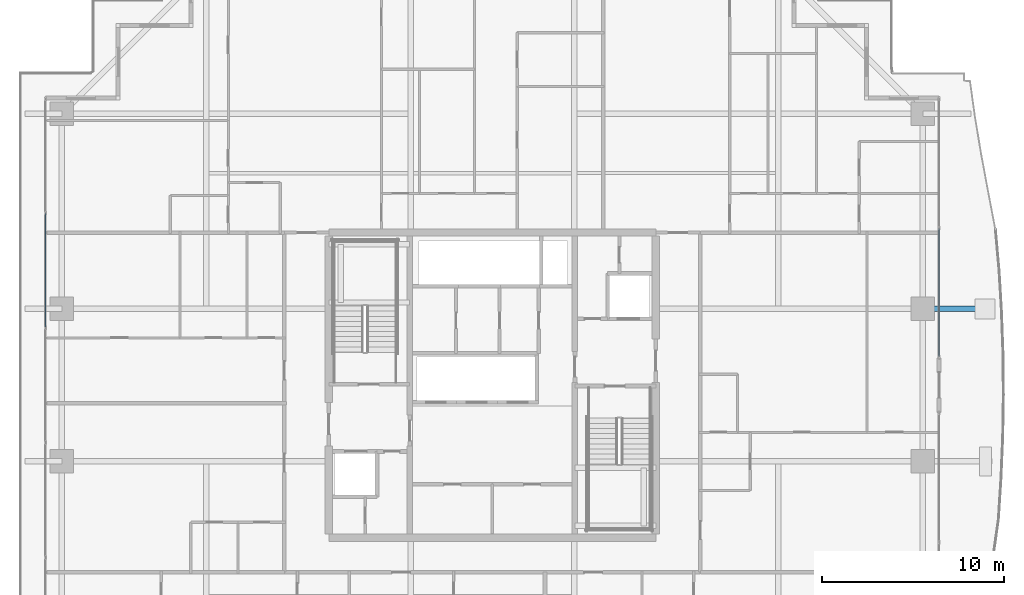
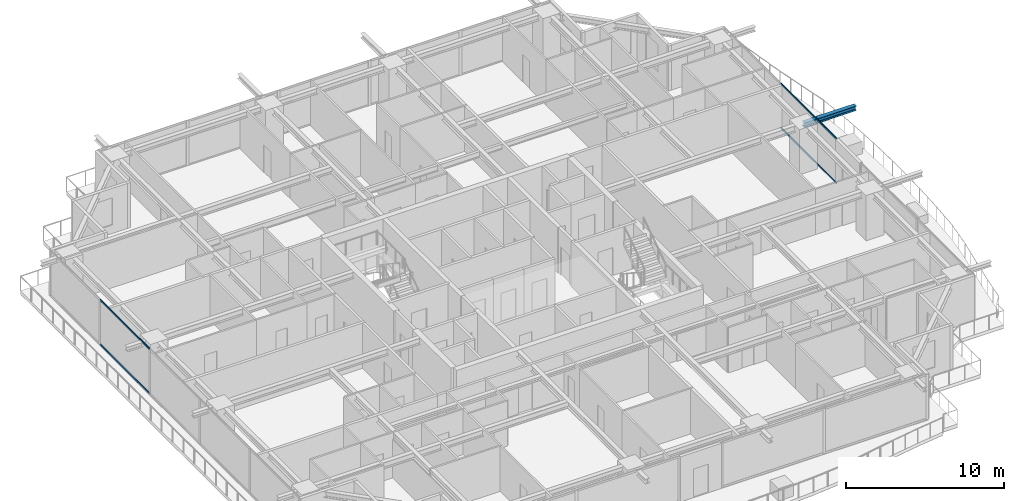
# One storey, part 16 of 38: 4 members, 1 beam, 2 elements without a shape of their own.
"""IFC4 building model written with IfcOpenShell, lengths in metres."""

from ifc_helpers import new_model, si_unit, direction, frame, origin, origin_2d, place, context, subcontext, project, spatial, hollow_rectangle, i_section, extrude, source, transform, mapped, material, layer, layer_set, material_profile, profile_set, type_object, element, aggregate, save


model = new_model("IFC4")

# Units and contexts
model_context = context("Model", 3, precision=1e-05, world=origin(), true_north=direction((0.0, 1.0)))
body_context = subcontext(model_context, "Body", "Model", "MODEL_VIEW")
ifc_project = project(units=[si_unit("LENGTHUNIT", "METRE"), si_unit("AREAUNIT", "SQUARE_METRE"), si_unit("VOLUMEUNIT", "CUBIC_METRE"), si_unit("PLANEANGLEUNIT", "RADIAN"), si_unit("MASSUNIT", "GRAM", prefix="KILO")], contexts=[model_context])

# Site, building, storey
site_placement = place(None, origin())
site = spatial("IfcSite", under=ifc_project, at=site_placement, CompositionType="ELEMENT")
building_placement = place(site_placement, origin())
building = spatial("IfcBuilding", under=site, at=building_placement, Name="Serunith Strait Residences", CompositionType="ELEMENT")
storey_placement = place(building_placement, frame((0.0, 0.0, 176.39990234375)))
storey = spatial("IfcBuildingStorey", under=building, at=storey_placement, Name="L44", CompositionType="ELEMENT", Elevation=176.39990234375)

# Beam
ifc_material_1 = material(Name="Steel S355J2", Category="steel")
ifc_material_profile_1 = material_profile(ifc_material_1, i_section(OverallWidth=0.300048828125, OverallDepth=0.360107421875, WebThickness=0.012451171875, FlangeThickness=0.0224609375, FilletRadius=0.027099609375, at=origin_2d()), Name="HEB 360")
ifc_profile_set_1 = profile_set([ifc_material_profile_1], Name="Steel S355J2")
beam_type = type_object("IfcBeamType", Name="BM-HEB360", PredefinedType="BEAM", material=ifc_profile_set_1)
shared_shape_1 = source(origin(), body_context, "Body", "SweptSolid", [
    extrude(i_section(OverallWidth=0.300048828125, OverallDepth=0.360107421875, WebThickness=0.012451171875, FlangeThickness=0.0224609375, FilletRadius=0.027099609375, at=origin_2d()), origin(), (0.0, 0.0, 1.0), 3.7998046875),
])
beam_placement = place(storey_placement, frame((56.10009765625, 29.39990234375, 3.277099609375), z_axis=(1.0, 0.0, 0.0), x_axis=(0.0, 1.0, 0.0)))
element("IfcBeam", 1, at=beam_placement, inside=storey, type_object=beam_type, Name="L45 Cantilevered Balcony Rib TC-E3", PredefinedType="BEAM", context=body_context, shape_type="MappedRepresentation", body=[
    mapped(shared_shape_1, transform((0.0, 0.0, 0.0), scale=1.0)),
])

# Curtain wall, members
ifc_material_2 = material(Name="Pale-Champagne Anodised Aluminium", Category="aluminium")
ifc_layer = layer(ifc_material_2, 0.199951171875, Name="Pale-Champagne Anodised Aluminium")
ifc_layer_set = layer_set([ifc_layer], Name="Pale-Champagne Anodised Aluminium")
curtain_wall_type = type_object("IfcCurtainWallType", Name="CW-SYS2", PredefinedType="NOTDEFINED", material=ifc_layer_set)
curtain_wall_1_placement = place(storey_placement, origin())
curtain_wall_1 = element("IfcCurtainWall", 2, at=curtain_wall_1_placement, inside=storey, type_object=curtain_wall_type, Name="L44 W Unitised Fritted Curtain Wall", PredefinedType="NOTDEFINED")
ifc_material_profile_2 = material_profile(ifc_material_2, hollow_rectangle(XDim=0.06005859375, YDim=0.139892578125, WallThickness=0.00341796875, InnerFilletRadius=0.00537109375, OuterFilletRadius=0.0087890625, at=origin_2d()), Name="ALU 140x60x3.5")
ifc_profile_set_2 = profile_set([ifc_material_profile_2], Name="Pale-Champagne Anodised Aluminium")
member_type = type_object("IfcMemberType", Name="CW-SYS2-TRAN", PredefinedType="USERDEFINED", material=ifc_profile_set_2)
shared_shape_2 = source(origin(), body_context, "Body", "SweptSolid", [
    extrude(hollow_rectangle(XDim=0.06005859375, YDim=0.139892578125, WallThickness=0.00341796875, InnerFilletRadius=0.00537109375, OuterFilletRadius=0.0087890625, at=origin_2d()), origin(), (0.0, 0.0, 1.0), 6.25),
])
member_1_placement = place(storey_placement, frame((7.800048828125, 34.64501953125, 0.030029296875), z_axis=(0.0, -1.0, 0.0), x_axis=(1.0, 0.0, 0.0)))
member_1 = element("IfcMember", 3, at=member_1_placement, type_object=member_type, Name="CW-2 transom 2.1", ObjectType="TRANSOM", PredefinedType="USERDEFINED", context=body_context, shape_type="MappedRepresentation", body=[
    mapped(shared_shape_2, transform((0.0, 0.0, 0.0), scale=1.0)),
])
member_2_placement = place(storey_placement, frame((7.800048828125, 34.64501953125, 3.445068359375), z_axis=(0.0, -1.0, 0.0), x_axis=(1.0, 0.0, 0.0)))
member_2 = element("IfcMember", 4, at=member_2_placement, type_object=member_type, Name="CW-2 transom 2.2", ObjectType="TRANSOM", PredefinedType="USERDEFINED", context=body_context, shape_type="MappedRepresentation", body=[
    mapped(shared_shape_2, transform((0.0, 0.0, 0.0), scale=1.0)),
])
aggregate(curtain_wall_1, [member_1, member_2])

curtain_wall_2_placement = place(storey_placement, origin())
curtain_wall_2 = element("IfcCurtainWall", 5, at=curtain_wall_2_placement, inside=storey, type_object=curtain_wall_type, Name="L44 E Unitised Fritted Curtain Wall", PredefinedType="NOTDEFINED")
shared_shape_3 = source(origin(), body_context, "Body", "SweptSolid", [
    extrude(hollow_rectangle(XDim=0.06005859375, YDim=0.139892578125, WallThickness=0.00341796875, InnerFilletRadius=0.00537109375, OuterFilletRadius=0.0087890625, at=origin_2d()), origin(), (0.0, 0.0, 1.0), 7.044921875),
])
member_3_placement = place(storey_placement, frame((57.0, 26.77001953125, 0.030029296875), z_axis=(0.0, 1.0, 0.0), x_axis=(-1.0, 0.0, 0.0)))
member_3 = element("IfcMember", 6, at=member_3_placement, type_object=member_type, Name="CW-2 transom 1.1", ObjectType="TRANSOM", PredefinedType="USERDEFINED", context=body_context, shape_type="MappedRepresentation", body=[
    mapped(shared_shape_3, transform((0.0, 0.0, 0.0), scale=1.0)),
])
member_4_placement = place(storey_placement, frame((57.0, 26.77001953125, 3.445068359375), z_axis=(0.0, 1.0, 0.0), x_axis=(-1.0, 0.0, 0.0)))
member_4 = element("IfcMember", 7, at=member_4_placement, type_object=member_type, Name="CW-2 transom 1.2", ObjectType="TRANSOM", PredefinedType="USERDEFINED", context=body_context, shape_type="MappedRepresentation", body=[
    mapped(shared_shape_3, transform((0.0, 0.0, 0.0), scale=1.0)),
])
aggregate(curtain_wall_2, [member_3, member_4])

save(model, "model.ifc")
